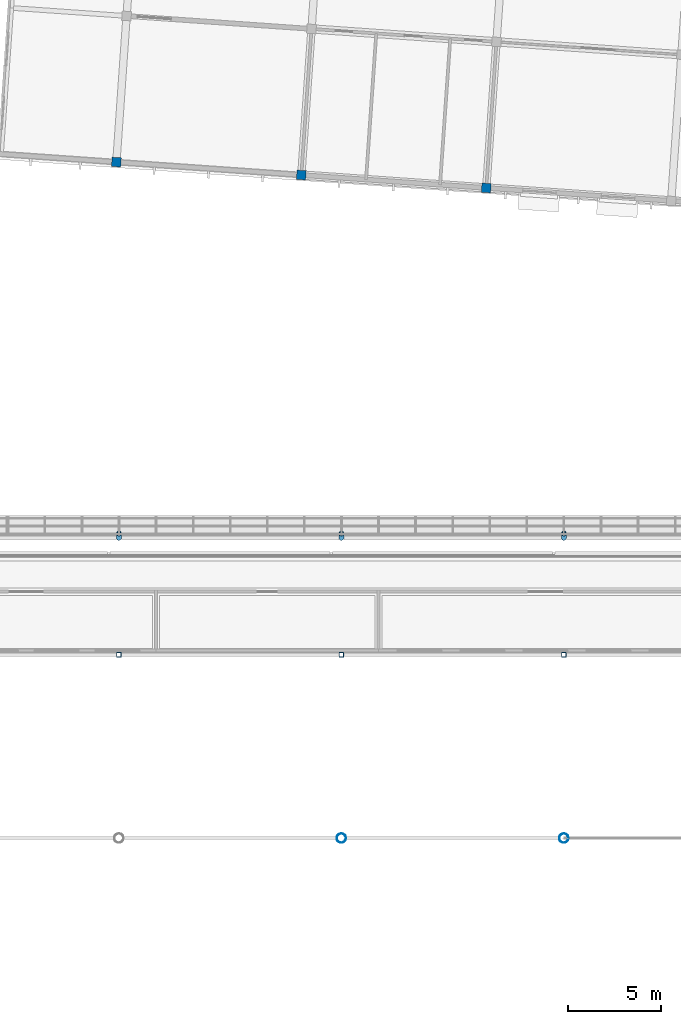
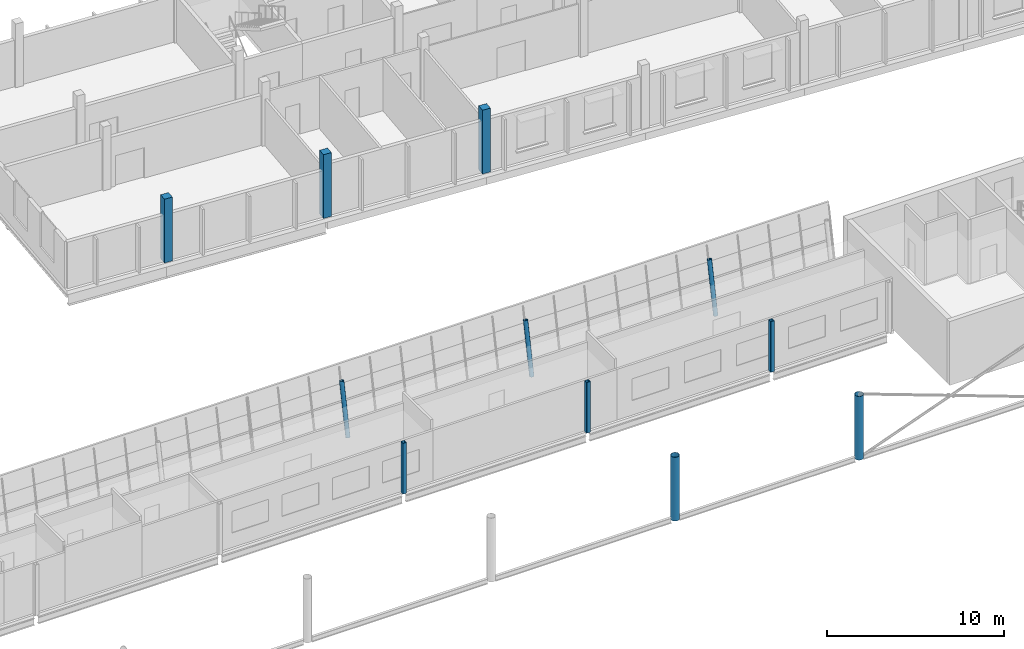
# One storey, part 10 of 95: 11 columns.
"""IFC4 building model written with IfcOpenShell, lengths in metres."""

from ifc_helpers import new_model, si_unit, direction, frame, origin, origin_2d, place, context, subcontext, project, spatial, rectangle, hollow_rectangle, hollow_circle, extrude, material, material_profile, profile_set, type_object, element, save


model = new_model("IFC4")

# Units and contexts
model_context = context("Model", 3, precision=1e-05, world=origin(), true_north=direction((0.0, 1.0)))
body_context = subcontext(model_context, "Body", "Model", "MODEL_VIEW")
ifc_project = project(units=[si_unit("LENGTHUNIT", "METRE"), si_unit("AREAUNIT", "SQUARE_METRE"), si_unit("VOLUMEUNIT", "CUBIC_METRE"), si_unit("PLANEANGLEUNIT", "RADIAN"), si_unit("MASSUNIT", "GRAM", prefix="KILO")], contexts=[model_context])

# Site, building, storey
site_placement = place(None, origin())
site = spatial("IfcSite", under=ifc_project, at=site_placement, CompositionType="ELEMENT")
building_placement = place(site_placement, origin())
building = spatial("IfcBuilding", under=site, at=building_placement, Name="Windward Yard Aquatics Centre", CompositionType="ELEMENT")
storey_placement = place(building_placement, frame((0.0, 0.0, 9.39990234375)))
storey = spatial("IfcBuildingStorey", under=building, at=storey_placement, Name="L02", CompositionType="ELEMENT", Elevation=9.39990234375)

# Columns
ifc_material_1 = material(Name="Steel ASTM A500 Gr C", Category="steel")
ifc_material_profile_1 = material_profile(ifc_material_1, hollow_circle(Radius=0.25390625, WallThickness=0.015869140625, at=origin_2d()), Name="HSS508X15.9")
ifc_profile_set_1 = profile_set([ifc_material_profile_1], Name="Steel ASTM A500 Gr C")
column_type_1 = type_object("IfcColumnType", Name="H arch column HSS508X15.9", PredefinedType="COLUMN", material=ifc_profile_set_1)
for number, where, z_axis, x_axis, name in (
    (1, (120.0, 80.39990234375, 0.0), (0.0, 0.0, 1.0), (1.0, 0.0, 0.0), "H.AC.N6.L02"),
    (2, (132.0, 80.39990234375, 0.0), (0.0, 0.0, 1.0), (1.0, 0.0, 0.0), "H.AC.N7.L02"),
):
    element("IfcColumn", number, at=place(storey_placement, frame(where, z_axis=z_axis, x_axis=x_axis)), inside=storey, type_object=column_type_1, Name=name, PredefinedType="COLUMN", context=body_context, shape_type="SweptSolid", body=[
        extrude(hollow_circle(Radius=0.25390625, WallThickness=0.015869140625, at=origin_2d()), origin(), (0.0, 0.0, 1.0), 4.400146484375),
    ])
ifc_material_profile_2 = material_profile(ifc_material_1, hollow_rectangle(XDim=0.25390625, YDim=0.25390625, WallThickness=0.015869140625, InnerFilletRadius=0.008056640625, OuterFilletRadius=0.02392578125, at=origin_2d()), Name="HSS254X254X15.9")
ifc_profile_set_2 = profile_set([ifc_material_profile_2], Name="Steel ASTM A500 Gr C")
column_type_2 = type_object("IfcColumnType", Name="H inner column HSS254X254X15.9", PredefinedType="COLUMN", material=ifc_profile_set_2)
for number, where, z_axis, x_axis, name in (
    (3, (108.0, 90.290283203125, 0.0), (0.0, 0.0, 1.0), (1.0, 0.0, 0.0), "H.IC.N5.L02"),
    (4, (120.0, 90.290283203125, 0.0), (0.0, 0.0, 1.0), (1.0, 0.0, 0.0), "H.IC.N6.L02"),
    (5, (132.0, 90.290283203125, 0.0), (0.0, 0.0, 1.0), (1.0, 0.0, 0.0), "H.IC.N7.L02"),
):
    element("IfcColumn", number, at=place(storey_placement, frame(where, z_axis=z_axis, x_axis=x_axis)), inside=storey, type_object=column_type_2, Name=name, PredefinedType="COLUMN", context=body_context, shape_type="SweptSolid", body=[
        extrude(hollow_rectangle(XDim=0.25390625, YDim=0.25390625, WallThickness=0.015869140625, InnerFilletRadius=0.008056640625, OuterFilletRadius=0.02392578125, at=origin_2d()), origin(), (0.0, 0.0, 1.0), 3.49609375),
    ])
ifc_material_profile_3 = material_profile(ifc_material_1, hollow_circle(Radius=0.136474609375, WallThickness=0.0126953125, at=origin_2d()), Name="HSS273.1X12.7")
ifc_profile_set_3 = profile_set([ifc_material_profile_3], Name="Steel ASTM A500 Gr C")
column_type_3 = type_object("IfcColumnType", Name="H tier 1 leg HSS273.1X12.7", PredefinedType="COLUMN", material=ifc_profile_set_3)
for number, where, z_axis, x_axis, name in (
    (6, (108.0, 96.59521484375, 0.0), (0.0, 0.19937762145, 0.979922733722), (-1.0, 0.0, 0.0), "H.TL.N5.T1B.L02"),
    (7, (120.0, 96.59521484375, 0.0), (0.0, 0.19937762145, 0.979922733722), (-1.0, 0.0, 0.0), "H.TL.N6.T1B.L02"),
    (8, (132.0, 96.59521484375, 0.0), (0.0, 0.19937762145, 0.979922733722), (-1.0, 0.0, 0.0), "H.TL.N7.T1B.L02"),
):
    element("IfcColumn", number, at=place(storey_placement, frame(where, z_axis=z_axis, x_axis=x_axis)), inside=storey, type_object=column_type_3, Name=name, PredefinedType="COLUMN", context=body_context, shape_type="SweptSolid", body=[
        extrude(hollow_circle(Radius=0.136474609375, WallThickness=0.0126953125, at=origin_2d()), origin(), (0.0, 0.0, 1.0), 3.5400390625),
    ])
ifc_material_2 = material(Name="Concrete C50/60", Category="concrete")
ifc_material_profile_4 = material_profile(ifc_material_2, rectangle(XDim=0.5, YDim=0.5, at=origin_2d()), Name="RC 500x500")
ifc_profile_set_4 = profile_set([ifc_material_profile_4], Name="Concrete C50/60")
column_type_4 = type_object("IfcColumnType", Name="W RC 500x500 column Concrete C50/60", PredefinedType="COLUMN", material=ifc_profile_set_4)
for number, where, z_axis, x_axis, name in (
    (9, (107.86328125, 116.864990234375, 0.0), (0.0, 0.0, 1.0), (0.99756405026, -0.069756473744, 0.0), "W.COL.L02.1A"),
    (10, (117.8388671875, 116.16748046875, 0.0), (0.0, 0.0, 1.0), (0.99756405026, -0.069756473744, 0.0), "W.COL.L02.2A"),
    (11, (127.814453125, 115.469970703125, 0.0), (0.0, 0.0, 1.0), (0.99756405026, -0.069756473744, 0.0), "W.COL.L02.3A"),
):
    element("IfcColumn", number, at=place(storey_placement, frame(where, z_axis=z_axis, x_axis=x_axis)), inside=storey, type_object=column_type_4, Name=name, PredefinedType="COLUMN", context=body_context, shape_type="SweptSolid", body=[
        extrude(rectangle(XDim=0.5, YDim=0.5, at=origin_2d()), origin(), (0.0, 0.0, 1.0), 4.400146484375),
    ])

save(model, "model.ifc")
